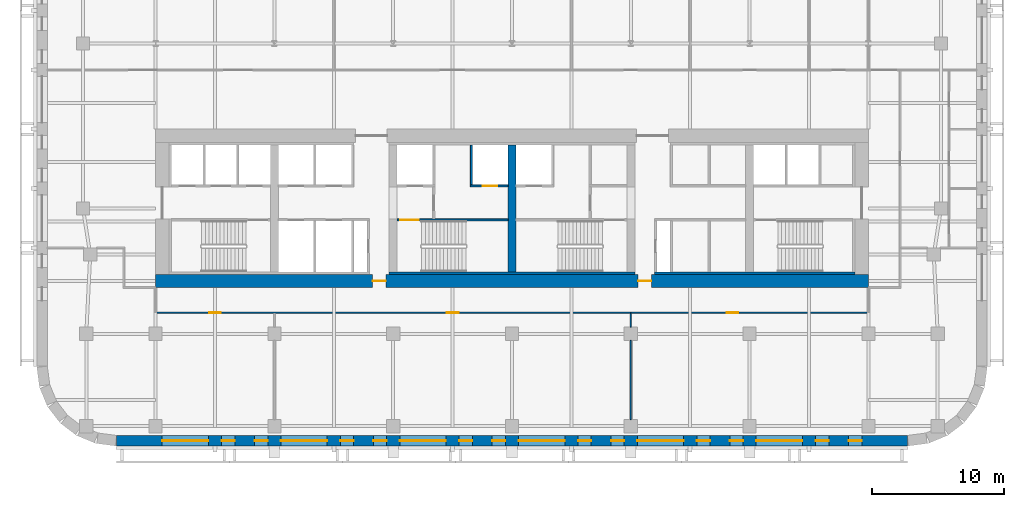
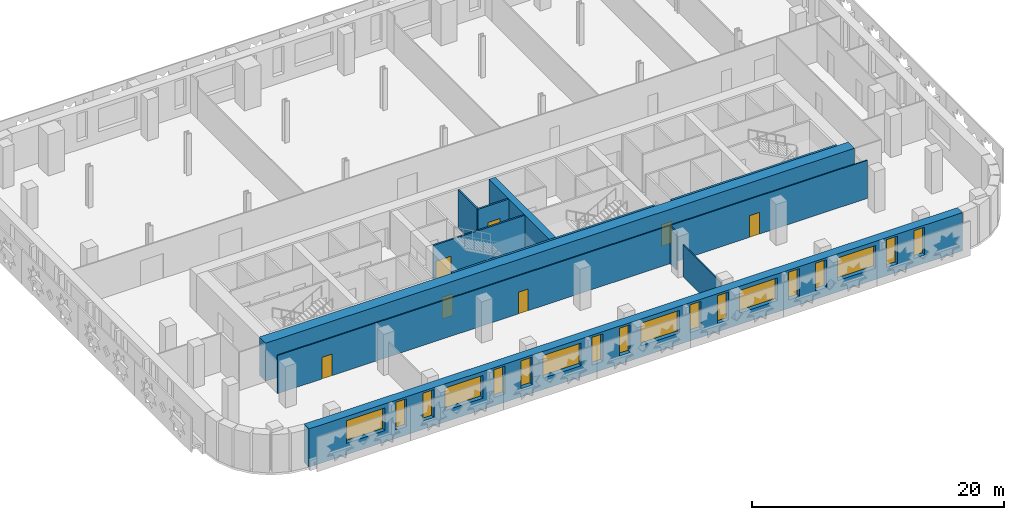
# One storey, part 4 of 10: 18 windows, 11 walls, 7 doors, 25 openings.
"""IFC4 building model written with IfcOpenShell, lengths in metres."""

from ifc_helpers import new_model, si_unit, direction, frame, frame_2d, origin, place, context, subcontext, project, spatial, rectangle, extrude, material, layer, layer_set, type_object, element, fill, save


model = new_model("IFC4")

# Units and contexts
model_context = context("Model", 3, precision=1e-05, world=origin(), true_north=direction((0.0, 1.0)))
body_context = subcontext(model_context, "Body", "Model", "MODEL_VIEW")
ifc_project = project(units=[si_unit("LENGTHUNIT", "METRE"), si_unit("AREAUNIT", "SQUARE_METRE"), si_unit("VOLUMEUNIT", "CUBIC_METRE"), si_unit("PLANEANGLEUNIT", "RADIAN"), si_unit("MASSUNIT", "GRAM", prefix="KILO")], contexts=[model_context])

# Site, building, storey
site_placement = place(None, origin())
site = spatial("IfcSite", under=ifc_project, at=site_placement, CompositionType="ELEMENT")
building_placement = place(site_placement, origin())
building = spatial("IfcBuilding", under=site, at=building_placement, Name="Zellij Exchange Tower", CompositionType="ELEMENT")
storey_placement = place(building_placement, frame((0.0, 0.0, 152.5)))
storey = spatial("IfcBuildingStorey", under=building, at=storey_placement, Name="L34", CompositionType="ELEMENT", Elevation=152.5)

# Walls
ifc_material_1 = material(Name="Concrete C70/85", Category="concrete")
ifc_layer_1 = layer(ifc_material_1, 0.60009765625)
ifc_layer_set_1 = layer_set([ifc_layer_1], Name="Concrete C70/85")
wall_type_1 = type_object("IfcWallType", Name="CORE-CW 600 C70/85", PredefinedType="SHEAR", material=ifc_layer_set_1)
wall_1_placement = place(storey_placement, frame((0.0, -12.800048828125, 0.0), z_axis=(0.0, 0.0, 1.0), x_axis=(0.0, 1.0, 0.0)))
element("IfcWall", 1, at=wall_1_placement, inside=storey, type_object=wall_type_1, Name="Core cross wall x 0 L34", PredefinedType="SHEAR", context=body_context, shape_type="SweptSolid", body=[
    extrude(rectangle(XDim=9.60009765625, YDim=0.60009765625, at=frame_2d((4.800048828125, 0.0))), origin(), (0.0, 0.0, 1.0), 3.699951171875),
])
ifc_material_2 = material(Name="Concrete C30/37", Category="concrete")
ifc_layer_2 = layer(ifc_material_2, 0.199951171875)
ifc_layer_set_2 = layer_set([ifc_layer_2], Name="Concrete C30/37")
wall_type_2 = type_object("IfcWallType", Name="CORE-LW 200 C30/37", PredefinedType="SHEAR", material=ifc_layer_set_2)
wall_2_placement = place(storey_placement, frame((-9.300048828125, -12.89990234375, 0.0), z_axis=(0.0, 0.0, 1.0), x_axis=(1.0, 0.0, 0.0)))
element("IfcWall", 2, at=wall_2_placement, inside=storey, type_object=wall_type_2, Name="Core wall lining rear.1 L34", PredefinedType="SHEAR", context=body_context, shape_type="SweptSolid", body=[
    extrude(rectangle(XDim=18.60009765625, YDim=0.199951171875, at=frame_2d((9.300048828125, 0.0))), origin(), (0.0, 0.0, 1.0), 3.699951171875),
])
wall_3_placement = place(storey_placement, frame((10.800048828125, -12.89990234375, 0.0), z_axis=(0.0, 0.0, 1.0), x_axis=(1.0, 0.0, 0.0)))
element("IfcWall", 3, at=wall_3_placement, inside=storey, type_object=wall_type_2, Name="Core wall lining rear.2 L34", PredefinedType="SHEAR", context=body_context, shape_type="SweptSolid", body=[
    extrude(rectangle(XDim=15.199951171875, YDim=0.199951171875, at=frame_2d((7.60009765625, 0.0))), origin(), (0.0, 0.0, 1.0), 3.699951171875),
])
ifc_material_3 = material(Name="Gypsum shaft wall system")
ifc_layer_3 = layer(ifc_material_3, 0.14990234375)
ifc_layer_set_3 = layer_set([ifc_layer_3], Name="Gypsum shaft wall system")
wall_type_3 = type_object("IfcWallType", Name="CORE-PW 150 Lift shaft wall", PredefinedType="PARTITIONING", material=ifc_layer_set_3)
wall_4_placement = place(storey_placement, frame((-3.074951171875, -6.22509765625, 0.0), z_axis=(0.0, 0.0, 1.0), x_axis=(0.0, 1.0, 0.0)))
element("IfcWall", 4, at=wall_4_placement, inside=storey, type_object=wall_type_3, Name="Lift shaft wall L34", PredefinedType="PARTITIONING", context=body_context, shape_type="SweptSolid", body=[
    extrude(rectangle(XDim=3.025146484375, YDim=0.14990234375, at=frame_2d((1.5126953125, 0.0))), origin(), (0.0, 0.0, 1.0), 3.699951171875),
])

# Wall, opening, door
wall_5_placement = place(storey_placement, frame((-3.14990234375, -6.300048828125, 0.0), z_axis=(0.0, 0.0, 1.0), x_axis=(1.0, 0.0, 0.0)))
wall_5 = element("IfcWall", 5, at=wall_5_placement, inside=storey, type_object=wall_type_3, Name="Lift shaft wall L34", PredefinedType="PARTITIONING", context=body_context, shape_type="SweptSolid", body=[
    extrude(rectangle(XDim=2.849853515625, YDim=0.14990234375, at=frame_2d((1.4248046875, 0.0))), origin(), (0.0, 0.0, 1.0), 3.699951171875),
])
opening_1_placement = place(wall_5_placement, frame((0.949951171875, 0.0, 0.0)))
opening_1 = element("IfcOpeningElement", 6, at=opening_1_placement, cuts=wall_5, Name="Opening CA-18.16", PredefinedType="OPENING", context=body_context, shape_type="SweptSolid", body=[
    extrude(rectangle(XDim=1.10009765625, YDim=2.10009765625, at=frame_2d((0.550048828125, 1.050048828125))), frame((0.0, 0.0869140625, 0.0), z_axis=(0.0, -1.0, 0.0), x_axis=(1.0, 0.0, 0.0)), (0.0, 0.0, 1.0), 0.173828125),
])
ifc_material_4 = material(Name="Hollow metal fire door")
door_type_1 = type_object("IfcDoorType", Name="CORE-D LD Lift landing door 1100x2100 1.5 HR", OperationType="NOTDEFINED", PredefinedType="DOOR", material=ifc_material_4)
door_1_placement = place(opening_1_placement, origin())
door_1 = element("IfcDoor", 7, at=door_1_placement, inside=storey, type_object=door_type_1, Name="Lift landing door CA-18.16", OperationType="SLIDING_TO_RIGHT", OverallHeight=2.10009765625, OverallWidth=1.10009765625, PredefinedType="DOOR", context=body_context, shape_type="SweptSolid", body=[
    extrude(rectangle(XDim=1.10009765625, YDim=2.10009765625, at=frame_2d((0.550048828125, 1.050048828125))), frame((0.0, 0.02490234375, 0.0), z_axis=(0.0, -1.0, 0.0), x_axis=(1.0, 0.0, 0.0)), (0.0, 0.0, 1.0), 0.050048828125),
])
fill(opening_1, door_1)

# Wall, openings, doors
ifc_layer_4 = layer(ifc_material_1, 1.0)
ifc_layer_set_4 = layer_set([ifc_layer_4], Name="Concrete C70/85")
wall_type_4 = type_object("IfcWallType", Name="CORE-SW 1000 C70/85", PredefinedType="SHEAR", material=ifc_layer_set_4)
wall_6_placement = place(storey_placement, frame((-27.0, -13.5, 0.0), z_axis=(0.0, 0.0, 1.0), x_axis=(1.0, 0.0, 0.0)))
wall_6 = element("IfcWall", 8, at=wall_6_placement, inside=storey, type_object=wall_type_4, Name="Core shear wall rear L34", PredefinedType="SHEAR", context=body_context, shape_type="SweptSolid", body=[
    extrude(rectangle(XDim=54.0, YDim=1.0, at=frame_2d((27.0, 0.0))), origin(), (0.0, 0.0, 1.0), 3.699951171875),
])
opening_2_placement = place(wall_6_placement, frame((16.449951171875, 0.0, 0.0)))
opening_2 = element("IfcOpeningElement", 9, at=opening_2_placement, cuts=wall_6, Name="Opening CA-18.12", PredefinedType="OPENING", context=body_context, shape_type="SweptSolid", body=[
    extrude(rectangle(XDim=1.0, YDim=2.10009765625, at=frame_2d((0.5, 1.050048828125))), frame((0.0, 0.511962890625, 0.0), z_axis=(0.0, -1.0, 0.0), x_axis=(1.0, 0.0, 0.0)), (0.0, 0.0, 1.0), 1.02392578125),
])
opening_3_placement = place(wall_6_placement, frame((36.550048828125, 0.0, 0.0)))
opening_3 = element("IfcOpeningElement", 10, at=opening_3_placement, cuts=wall_6, Name="Opening CA-18.20", PredefinedType="OPENING", context=body_context, shape_type="SweptSolid", body=[
    extrude(rectangle(XDim=1.0, YDim=2.10009765625, at=frame_2d((0.5, 1.050048828125))), frame((0.0, 0.511962890625, 0.0), z_axis=(0.0, -1.0, 0.0), x_axis=(1.0, 0.0, 0.0)), (0.0, 0.0, 1.0), 1.02392578125),
])
door_type_2 = type_object("IfcDoorType", Name="CORE-D CR Core rear door 1000x2100 20 MIN", OperationType="NOTDEFINED", PredefinedType="DOOR", material=ifc_material_4)
door_2_placement = place(opening_2_placement, origin())
door_2 = element("IfcDoor", 11, at=door_2_placement, inside=storey, type_object=door_type_2, Name="Core rear door CA-18.12", OperationType="SINGLE_SWING_RIGHT", OverallHeight=2.10009765625, OverallWidth=1.0, PredefinedType="DOOR", context=body_context, shape_type="SweptSolid", body=[
    extrude(rectangle(XDim=1.0, YDim=2.10009765625, at=frame_2d((0.5, 1.050048828125))), frame((0.0, 0.02490234375, 0.0), z_axis=(0.0, -1.0, 0.0), x_axis=(1.0, 0.0, 0.0)), (0.0, 0.0, 1.0), 0.050048828125),
])
fill(opening_2, door_2)
door_3_placement = place(opening_3_placement, origin())
door_3 = element("IfcDoor", 12, at=door_3_placement, inside=storey, type_object=door_type_2, Name="Core rear door CA-18.20", OperationType="SINGLE_SWING_LEFT", OverallHeight=2.10009765625, OverallWidth=1.0, PredefinedType="DOOR", context=body_context, shape_type="SweptSolid", body=[
    extrude(rectangle(XDim=1.0, YDim=2.10009765625, at=frame_2d((0.5, 1.050048828125))), frame((0.0, 0.02490234375, 0.0), z_axis=(0.0, -1.0, 0.0), x_axis=(1.0, 0.0, 0.0)), (0.0, 0.0, 1.0), 0.050048828125),
])
fill(opening_3, door_3)

# Wall, opening, door
ifc_layer_5 = layer(ifc_material_1, 0.14990234375)
ifc_layer_set_5 = layer_set([ifc_layer_5], Name="Concrete C70/85")
wall_type_5 = type_object("IfcWallType", Name="CORE-SWS 150 C70/85", PredefinedType="SHEAR", material=ifc_layer_set_5)
wall_7_placement = place(storey_placement, frame((-8.699951171875, -8.875, 0.0), z_axis=(0.0, 0.0, 1.0), x_axis=(1.0, 0.0, 0.0)))
wall_7 = element("IfcWall", 13, at=wall_7_placement, inside=storey, type_object=wall_type_5, Name="Stair enclosure wall L34", PredefinedType="SHEAR", context=body_context, shape_type="SweptSolid", body=[
    extrude(rectangle(XDim=8.39990234375, YDim=0.14990234375, at=frame_2d((4.199951171875, 0.0))), origin(), (0.0, 0.0, 1.0), 3.699951171875),
])
opening_4_placement = place(wall_7_placement, frame((0.22509765625, 0.0, 0.0)))
opening_4 = element("IfcOpeningElement", 14, at=opening_4_placement, cuts=wall_7, Name="Opening CA-18.13", PredefinedType="OPENING", context=body_context, shape_type="SweptSolid", body=[
    extrude(rectangle(XDim=1.39990234375, YDim=2.10009765625, at=frame_2d((0.699951171875, 1.050048828125))), frame((0.0, 0.0869140625, 0.0), z_axis=(0.0, -1.0, 0.0), x_axis=(1.0, 0.0, 0.0)), (0.0, 0.0, 1.0), 0.173828125),
])
door_type_3 = type_object("IfcDoorType", Name="CORE-D SD Stair door 1400x2100 1.5 HR", OperationType="NOTDEFINED", PredefinedType="DOOR", material=ifc_material_4)
door_4_placement = place(opening_4_placement, origin())
door_4 = element("IfcDoor", 15, at=door_4_placement, inside=storey, type_object=door_type_3, Name="Stair door CA-18.13", OperationType="DOUBLE_DOOR_SINGLE_SWING", OverallHeight=2.10009765625, OverallWidth=1.39990234375, PredefinedType="DOOR", context=body_context, shape_type="SweptSolid", body=[
    extrude(rectangle(XDim=1.39990234375, YDim=2.10009765625, at=frame_2d((0.699951171875, 1.050048828125))), frame((0.0, 0.02490234375, 0.0), z_axis=(0.0, -1.0, 0.0), x_axis=(1.0, 0.0, 0.0)), (0.0, 0.0, 1.0), 0.050048828125),
])
fill(opening_4, door_4)

# Wall, openings, windows
ifc_material_5 = material(Name="Precast concrete C40/50", Category="concrete")
ifc_layer_6 = layer(ifc_material_5, 0.800048828125)
ifc_layer_set_6 = layer_set([ifc_layer_6], Name="Precast concrete C40/50")
wall_type_6 = type_object("IfcWallType", Name="ENV-EW1 Precast stone-piered wall 800", PredefinedType="SOLIDWALL", material=ifc_layer_set_6)
wall_8_placement = place(storey_placement, frame((-29.947509765625, -25.60009765625, 0.0), z_axis=(0.0, 0.0, 1.0), x_axis=(1.0, 0.0, 0.0)))
wall_8 = element("IfcWall", 16, at=wall_8_placement, inside=storey, type_object=wall_type_6, Name="fac.L34.00", PredefinedType="SOLIDWALL", context=body_context, shape_type="SweptSolid", body=[
    extrude(rectangle(XDim=59.89501953125, YDim=0.800048828125, at=frame_2d((29.947509765625, 0.0))), origin(), (0.0, 0.0, 1.0), 3.699951171875),
])
opening_5_placement = place(wall_8_placement, frame((3.447509765625, 0.0, 1.10009765625)))
opening_5 = element("IfcOpeningElement", 17, at=opening_5_placement, cuts=wall_8, Name="Opening FZ2.01", PredefinedType="OPENING", context=body_context, shape_type="SweptSolid", body=[
    extrude(rectangle(XDim=3.5, YDim=2.199951171875, at=frame_2d((1.75, 1.10009765625))), frame((0.0, 0.412109375, 0.0), z_axis=(0.0, -1.0, 0.0), x_axis=(1.0, 0.0, 0.0)), (0.0, 0.0, 1.0), 0.823974609375),
])
opening_6_placement = place(wall_8_placement, frame((7.947509765625, 0.0, 0.800048828125)))
opening_6 = element("IfcOpeningElement", 18, at=opening_6_placement, cuts=wall_8, Name="Opening FZ2.02", PredefinedType="OPENING", context=body_context, shape_type="SweptSolid", body=[
    extrude(rectangle(XDim=1.0, YDim=2.699951171875, at=frame_2d((0.5, 1.35009765625))), frame((0.0, 0.412109375, 0.0), z_axis=(0.0, -1.0, 0.0), x_axis=(1.0, 0.0, 0.0)), (0.0, 0.0, 1.0), 0.823974609375),
])
opening_7_placement = place(wall_8_placement, frame((10.447509765625, 0.0, 0.800048828125)))
opening_7 = element("IfcOpeningElement", 19, at=opening_7_placement, cuts=wall_8, Name="Opening FZ2.03", PredefinedType="OPENING", context=body_context, shape_type="SweptSolid", body=[
    extrude(rectangle(XDim=1.0, YDim=2.699951171875, at=frame_2d((0.5, 1.35009765625))), frame((0.0, 0.412109375, 0.0), z_axis=(0.0, -1.0, 0.0), x_axis=(1.0, 0.0, 0.0)), (0.0, 0.0, 1.0), 0.823974609375),
])
opening_8_placement = place(wall_8_placement, frame((12.447509765625, 0.0, 1.10009765625)))
opening_8 = element("IfcOpeningElement", 20, at=opening_8_placement, cuts=wall_8, Name="Opening FZ2.04", PredefinedType="OPENING", context=body_context, shape_type="SweptSolid", body=[
    extrude(rectangle(XDim=3.5, YDim=2.199951171875, at=frame_2d((1.75, 1.10009765625))), frame((0.0, 0.412109375, 0.0), z_axis=(0.0, -1.0, 0.0), x_axis=(1.0, 0.0, 0.0)), (0.0, 0.0, 1.0), 0.823974609375),
])
opening_9_placement = place(wall_8_placement, frame((16.947509765625, 0.0, 0.800048828125)))
opening_9 = element("IfcOpeningElement", 21, at=opening_9_placement, cuts=wall_8, Name="Opening FZ2.05", PredefinedType="OPENING", context=body_context, shape_type="SweptSolid", body=[
    extrude(rectangle(XDim=1.0, YDim=2.699951171875, at=frame_2d((0.5, 1.35009765625))), frame((0.0, 0.412109375, 0.0), z_axis=(0.0, -1.0, 0.0), x_axis=(1.0, 0.0, 0.0)), (0.0, 0.0, 1.0), 0.823974609375),
])
opening_10_placement = place(wall_8_placement, frame((19.447509765625, 0.0, 0.800048828125)))
opening_10 = element("IfcOpeningElement", 22, at=opening_10_placement, cuts=wall_8, Name="Opening FZ2.06", PredefinedType="OPENING", context=body_context, shape_type="SweptSolid", body=[
    extrude(rectangle(XDim=1.0, YDim=2.699951171875, at=frame_2d((0.5, 1.35009765625))), frame((0.0, 0.412109375, 0.0), z_axis=(0.0, -1.0, 0.0), x_axis=(1.0, 0.0, 0.0)), (0.0, 0.0, 1.0), 0.823974609375),
])
opening_11_placement = place(wall_8_placement, frame((21.447509765625, 0.0, 1.10009765625)))
opening_11 = element("IfcOpeningElement", 23, at=opening_11_placement, cuts=wall_8, Name="Opening FZ2.07", PredefinedType="OPENING", context=body_context, shape_type="SweptSolid", body=[
    extrude(rectangle(XDim=3.5, YDim=2.199951171875, at=frame_2d((1.75, 1.10009765625))), frame((0.0, 0.412109375, 0.0), z_axis=(0.0, -1.0, 0.0), x_axis=(1.0, 0.0, 0.0)), (0.0, 0.0, 1.0), 0.823974609375),
])
opening_12_placement = place(wall_8_placement, frame((25.947509765625, 0.0, 0.800048828125)))
opening_12 = element("IfcOpeningElement", 24, at=opening_12_placement, cuts=wall_8, Name="Opening FZ2.08", PredefinedType="OPENING", context=body_context, shape_type="SweptSolid", body=[
    extrude(rectangle(XDim=1.0, YDim=2.699951171875, at=frame_2d((0.5, 1.35009765625))), frame((0.0, 0.412109375, 0.0), z_axis=(0.0, -1.0, 0.0), x_axis=(1.0, 0.0, 0.0)), (0.0, 0.0, 1.0), 0.823974609375),
])
opening_13_placement = place(wall_8_placement, frame((28.447509765625, 0.0, 0.800048828125)))
opening_13 = element("IfcOpeningElement", 25, at=opening_13_placement, cuts=wall_8, Name="Opening FZ2.09", PredefinedType="OPENING", context=body_context, shape_type="SweptSolid", body=[
    extrude(rectangle(XDim=1.0, YDim=2.699951171875, at=frame_2d((0.5, 1.35009765625))), frame((0.0, 0.412109375, 0.0), z_axis=(0.0, -1.0, 0.0), x_axis=(1.0, 0.0, 0.0)), (0.0, 0.0, 1.0), 0.823974609375),
])
opening_14_placement = place(wall_8_placement, frame((30.447509765625, 0.0, 1.10009765625)))
opening_14 = element("IfcOpeningElement", 26, at=opening_14_placement, cuts=wall_8, Name="Opening FZ2.10", PredefinedType="OPENING", context=body_context, shape_type="SweptSolid", body=[
    extrude(rectangle(XDim=3.5, YDim=2.199951171875, at=frame_2d((1.75, 1.10009765625))), frame((0.0, 0.412109375, 0.0), z_axis=(0.0, -1.0, 0.0), x_axis=(1.0, 0.0, 0.0)), (0.0, 0.0, 1.0), 0.823974609375),
])
opening_15_placement = place(wall_8_placement, frame((34.947509765625, 0.0, 0.800048828125)))
opening_15 = element("IfcOpeningElement", 27, at=opening_15_placement, cuts=wall_8, Name="Opening FZ2.11", PredefinedType="OPENING", context=body_context, shape_type="SweptSolid", body=[
    extrude(rectangle(XDim=1.0, YDim=2.699951171875, at=frame_2d((0.5, 1.35009765625))), frame((0.0, 0.412109375, 0.0), z_axis=(0.0, -1.0, 0.0), x_axis=(1.0, 0.0, 0.0)), (0.0, 0.0, 1.0), 0.823974609375),
])
opening_16_placement = place(wall_8_placement, frame((37.447509765625, 0.0, 0.800048828125)))
opening_16 = element("IfcOpeningElement", 28, at=opening_16_placement, cuts=wall_8, Name="Opening FZ2.12", PredefinedType="OPENING", context=body_context, shape_type="SweptSolid", body=[
    extrude(rectangle(XDim=1.0, YDim=2.699951171875, at=frame_2d((0.5, 1.35009765625))), frame((0.0, 0.412109375, 0.0), z_axis=(0.0, -1.0, 0.0), x_axis=(1.0, 0.0, 0.0)), (0.0, 0.0, 1.0), 0.823974609375),
])
opening_17_placement = place(wall_8_placement, frame((39.447509765625, 0.0, 1.10009765625)))
opening_17 = element("IfcOpeningElement", 29, at=opening_17_placement, cuts=wall_8, Name="Opening FZ2.13", PredefinedType="OPENING", context=body_context, shape_type="SweptSolid", body=[
    extrude(rectangle(XDim=3.5, YDim=2.199951171875, at=frame_2d((1.75, 1.10009765625))), frame((0.0, 0.412109375, 0.0), z_axis=(0.0, -1.0, 0.0), x_axis=(1.0, 0.0, 0.0)), (0.0, 0.0, 1.0), 0.823974609375),
])
opening_18_placement = place(wall_8_placement, frame((43.947509765625, 0.0, 0.800048828125)))
opening_18 = element("IfcOpeningElement", 30, at=opening_18_placement, cuts=wall_8, Name="Opening FZ2.14", PredefinedType="OPENING", context=body_context, shape_type="SweptSolid", body=[
    extrude(rectangle(XDim=1.0, YDim=2.699951171875, at=frame_2d((0.5, 1.35009765625))), frame((0.0, 0.412109375, 0.0), z_axis=(0.0, -1.0, 0.0), x_axis=(1.0, 0.0, 0.0)), (0.0, 0.0, 1.0), 0.823974609375),
])
opening_19_placement = place(wall_8_placement, frame((46.447509765625, 0.0, 0.800048828125)))
opening_19 = element("IfcOpeningElement", 31, at=opening_19_placement, cuts=wall_8, Name="Opening FZ2.15", PredefinedType="OPENING", context=body_context, shape_type="SweptSolid", body=[
    extrude(rectangle(XDim=1.0, YDim=2.699951171875, at=frame_2d((0.5, 1.35009765625))), frame((0.0, 0.412109375, 0.0), z_axis=(0.0, -1.0, 0.0), x_axis=(1.0, 0.0, 0.0)), (0.0, 0.0, 1.0), 0.823974609375),
])
opening_20_placement = place(wall_8_placement, frame((48.447509765625, 0.0, 1.10009765625)))
opening_20 = element("IfcOpeningElement", 32, at=opening_20_placement, cuts=wall_8, Name="Opening FZ2.16", PredefinedType="OPENING", context=body_context, shape_type="SweptSolid", body=[
    extrude(rectangle(XDim=3.5, YDim=2.199951171875, at=frame_2d((1.75, 1.10009765625))), frame((0.0, 0.412109375, 0.0), z_axis=(0.0, -1.0, 0.0), x_axis=(1.0, 0.0, 0.0)), (0.0, 0.0, 1.0), 0.823974609375),
])
opening_21_placement = place(wall_8_placement, frame((52.947509765625, 0.0, 0.800048828125)))
opening_21 = element("IfcOpeningElement", 33, at=opening_21_placement, cuts=wall_8, Name="Opening FZ2.17", PredefinedType="OPENING", context=body_context, shape_type="SweptSolid", body=[
    extrude(rectangle(XDim=1.0, YDim=2.699951171875, at=frame_2d((0.5, 1.35009765625))), frame((0.0, 0.412109375, 0.0), z_axis=(0.0, -1.0, 0.0), x_axis=(1.0, 0.0, 0.0)), (0.0, 0.0, 1.0), 0.823974609375),
])
opening_22_placement = place(wall_8_placement, frame((55.447509765625, 0.0, 0.800048828125)))
opening_22 = element("IfcOpeningElement", 34, at=opening_22_placement, cuts=wall_8, Name="Opening FZ2.18", PredefinedType="OPENING", context=body_context, shape_type="SweptSolid", body=[
    extrude(rectangle(XDim=1.0, YDim=2.699951171875, at=frame_2d((0.5, 1.35009765625))), frame((0.0, 0.412109375, 0.0), z_axis=(0.0, -1.0, 0.0), x_axis=(1.0, 0.0, 0.0)), (0.0, 0.0, 1.0), 0.823974609375),
])
ifc_material_6 = material(Name="Aluminium frame with insulating glass", Category="aluminium")
window_type_1 = type_object("IfcWindowType", Name="ENV-W7 Window 3500x2200", PartitioningType="SINGLE_PANEL", PredefinedType="WINDOW", material=ifc_material_6)
window_1_placement = place(opening_5_placement, origin())
window_1 = element("IfcWindow", 35, at=window_1_placement, inside=storey, type_object=window_type_1, Name="Window FZ2.01", OverallHeight=2.199951171875, OverallWidth=3.5, PartitioningType="SINGLE_PANEL", PredefinedType="WINDOW", context=body_context, shape_type="SweptSolid", body=[
    extrude(rectangle(XDim=3.5, YDim=2.199951171875, at=frame_2d((1.75, 1.10009765625))), frame((0.0, 0.030029296875, 0.0), z_axis=(0.0, -1.0, 0.0), x_axis=(1.0, 0.0, 0.0)), (0.0, 0.0, 1.0), 0.06005859375),
])
fill(opening_5, window_1)
window_2_placement = place(opening_8_placement, origin())
window_2 = element("IfcWindow", 36, at=window_2_placement, inside=storey, type_object=window_type_1, Name="Window FZ2.04", OverallHeight=2.199951171875, OverallWidth=3.5, PartitioningType="SINGLE_PANEL", PredefinedType="WINDOW", context=body_context, shape_type="SweptSolid", body=[
    extrude(rectangle(XDim=3.5, YDim=2.199951171875, at=frame_2d((1.75, 1.10009765625))), frame((0.0, 0.030029296875, 0.0), z_axis=(0.0, -1.0, 0.0), x_axis=(1.0, 0.0, 0.0)), (0.0, 0.0, 1.0), 0.06005859375),
])
fill(opening_8, window_2)
window_3_placement = place(opening_11_placement, origin())
window_3 = element("IfcWindow", 37, at=window_3_placement, inside=storey, type_object=window_type_1, Name="Window FZ2.07", OverallHeight=2.199951171875, OverallWidth=3.5, PartitioningType="SINGLE_PANEL", PredefinedType="WINDOW", context=body_context, shape_type="SweptSolid", body=[
    extrude(rectangle(XDim=3.5, YDim=2.199951171875, at=frame_2d((1.75, 1.10009765625))), frame((0.0, 0.030029296875, 0.0), z_axis=(0.0, -1.0, 0.0), x_axis=(1.0, 0.0, 0.0)), (0.0, 0.0, 1.0), 0.06005859375),
])
fill(opening_11, window_3)
window_4_placement = place(opening_14_placement, origin())
window_4 = element("IfcWindow", 38, at=window_4_placement, inside=storey, type_object=window_type_1, Name="Window FZ2.10", OverallHeight=2.199951171875, OverallWidth=3.5, PartitioningType="SINGLE_PANEL", PredefinedType="WINDOW", context=body_context, shape_type="SweptSolid", body=[
    extrude(rectangle(XDim=3.5, YDim=2.199951171875, at=frame_2d((1.75, 1.10009765625))), frame((0.0, 0.030029296875, 0.0), z_axis=(0.0, -1.0, 0.0), x_axis=(1.0, 0.0, 0.0)), (0.0, 0.0, 1.0), 0.06005859375),
])
fill(opening_14, window_4)
window_5_placement = place(opening_17_placement, origin())
window_5 = element("IfcWindow", 39, at=window_5_placement, inside=storey, type_object=window_type_1, Name="Window FZ2.13", OverallHeight=2.199951171875, OverallWidth=3.5, PartitioningType="SINGLE_PANEL", PredefinedType="WINDOW", context=body_context, shape_type="SweptSolid", body=[
    extrude(rectangle(XDim=3.5, YDim=2.199951171875, at=frame_2d((1.75, 1.10009765625))), frame((0.0, 0.030029296875, 0.0), z_axis=(0.0, -1.0, 0.0), x_axis=(1.0, 0.0, 0.0)), (0.0, 0.0, 1.0), 0.06005859375),
])
fill(opening_17, window_5)
window_6_placement = place(opening_20_placement, origin())
window_6 = element("IfcWindow", 40, at=window_6_placement, inside=storey, type_object=window_type_1, Name="Window FZ2.16", OverallHeight=2.199951171875, OverallWidth=3.5, PartitioningType="SINGLE_PANEL", PredefinedType="WINDOW", context=body_context, shape_type="SweptSolid", body=[
    extrude(rectangle(XDim=3.5, YDim=2.199951171875, at=frame_2d((1.75, 1.10009765625))), frame((0.0, 0.030029296875, 0.0), z_axis=(0.0, -1.0, 0.0), x_axis=(1.0, 0.0, 0.0)), (0.0, 0.0, 1.0), 0.06005859375),
])
fill(opening_20, window_6)
window_type_2 = type_object("IfcWindowType", Name="ENV-W8 Window 1000x2700", PartitioningType="SINGLE_PANEL", PredefinedType="WINDOW", material=ifc_material_6)
window_7_placement = place(opening_6_placement, origin())
window_7 = element("IfcWindow", 41, at=window_7_placement, inside=storey, type_object=window_type_2, Name="Window FZ2.02", OverallHeight=2.699951171875, OverallWidth=1.0, PartitioningType="SINGLE_PANEL", PredefinedType="WINDOW", context=body_context, shape_type="SweptSolid", body=[
    extrude(rectangle(XDim=1.0, YDim=2.699951171875, at=frame_2d((0.5, 1.35009765625))), frame((0.0, 0.030029296875, 0.0), z_axis=(0.0, -1.0, 0.0), x_axis=(1.0, 0.0, 0.0)), (0.0, 0.0, 1.0), 0.06005859375),
])
fill(opening_6, window_7)
window_8_placement = place(opening_7_placement, origin())
window_8 = element("IfcWindow", 42, at=window_8_placement, inside=storey, type_object=window_type_2, Name="Window FZ2.03", OverallHeight=2.699951171875, OverallWidth=1.0, PartitioningType="SINGLE_PANEL", PredefinedType="WINDOW", context=body_context, shape_type="SweptSolid", body=[
    extrude(rectangle(XDim=1.0, YDim=2.699951171875, at=frame_2d((0.5, 1.35009765625))), frame((0.0, 0.030029296875, 0.0), z_axis=(0.0, -1.0, 0.0), x_axis=(1.0, 0.0, 0.0)), (0.0, 0.0, 1.0), 0.06005859375),
])
fill(opening_7, window_8)
window_9_placement = place(opening_9_placement, origin())
window_9 = element("IfcWindow", 43, at=window_9_placement, inside=storey, type_object=window_type_2, Name="Window FZ2.05", OverallHeight=2.699951171875, OverallWidth=1.0, PartitioningType="SINGLE_PANEL", PredefinedType="WINDOW", context=body_context, shape_type="SweptSolid", body=[
    extrude(rectangle(XDim=1.0, YDim=2.699951171875, at=frame_2d((0.5, 1.35009765625))), frame((0.0, 0.030029296875, 0.0), z_axis=(0.0, -1.0, 0.0), x_axis=(1.0, 0.0, 0.0)), (0.0, 0.0, 1.0), 0.06005859375),
])
fill(opening_9, window_9)
window_10_placement = place(opening_10_placement, origin())
window_10 = element("IfcWindow", 44, at=window_10_placement, inside=storey, type_object=window_type_2, Name="Window FZ2.06", OverallHeight=2.699951171875, OverallWidth=1.0, PartitioningType="SINGLE_PANEL", PredefinedType="WINDOW", context=body_context, shape_type="SweptSolid", body=[
    extrude(rectangle(XDim=1.0, YDim=2.699951171875, at=frame_2d((0.5, 1.35009765625))), frame((0.0, 0.030029296875, 0.0), z_axis=(0.0, -1.0, 0.0), x_axis=(1.0, 0.0, 0.0)), (0.0, 0.0, 1.0), 0.06005859375),
])
fill(opening_10, window_10)
window_11_placement = place(opening_12_placement, origin())
window_11 = element("IfcWindow", 45, at=window_11_placement, inside=storey, type_object=window_type_2, Name="Window FZ2.08", OverallHeight=2.699951171875, OverallWidth=1.0, PartitioningType="SINGLE_PANEL", PredefinedType="WINDOW", context=body_context, shape_type="SweptSolid", body=[
    extrude(rectangle(XDim=1.0, YDim=2.699951171875, at=frame_2d((0.5, 1.35009765625))), frame((0.0, 0.030029296875, 0.0), z_axis=(0.0, -1.0, 0.0), x_axis=(1.0, 0.0, 0.0)), (0.0, 0.0, 1.0), 0.06005859375),
])
fill(opening_12, window_11)
window_12_placement = place(opening_13_placement, origin())
window_12 = element("IfcWindow", 46, at=window_12_placement, inside=storey, type_object=window_type_2, Name="Window FZ2.09", OverallHeight=2.699951171875, OverallWidth=1.0, PartitioningType="SINGLE_PANEL", PredefinedType="WINDOW", context=body_context, shape_type="SweptSolid", body=[
    extrude(rectangle(XDim=1.0, YDim=2.699951171875, at=frame_2d((0.5, 1.35009765625))), frame((0.0, 0.030029296875, 0.0), z_axis=(0.0, -1.0, 0.0), x_axis=(1.0, 0.0, 0.0)), (0.0, 0.0, 1.0), 0.06005859375),
])
fill(opening_13, window_12)
window_13_placement = place(opening_15_placement, origin())
window_13 = element("IfcWindow", 47, at=window_13_placement, inside=storey, type_object=window_type_2, Name="Window FZ2.11", OverallHeight=2.699951171875, OverallWidth=1.0, PartitioningType="SINGLE_PANEL", PredefinedType="WINDOW", context=body_context, shape_type="SweptSolid", body=[
    extrude(rectangle(XDim=1.0, YDim=2.699951171875, at=frame_2d((0.5, 1.35009765625))), frame((0.0, 0.030029296875, 0.0), z_axis=(0.0, -1.0, 0.0), x_axis=(1.0, 0.0, 0.0)), (0.0, 0.0, 1.0), 0.06005859375),
])
fill(opening_15, window_13)
window_14_placement = place(opening_16_placement, origin())
window_14 = element("IfcWindow", 48, at=window_14_placement, inside=storey, type_object=window_type_2, Name="Window FZ2.12", OverallHeight=2.699951171875, OverallWidth=1.0, PartitioningType="SINGLE_PANEL", PredefinedType="WINDOW", context=body_context, shape_type="SweptSolid", body=[
    extrude(rectangle(XDim=1.0, YDim=2.699951171875, at=frame_2d((0.5, 1.35009765625))), frame((0.0, 0.030029296875, 0.0), z_axis=(0.0, -1.0, 0.0), x_axis=(1.0, 0.0, 0.0)), (0.0, 0.0, 1.0), 0.06005859375),
])
fill(opening_16, window_14)
window_15_placement = place(opening_18_placement, origin())
window_15 = element("IfcWindow", 49, at=window_15_placement, inside=storey, type_object=window_type_2, Name="Window FZ2.14", OverallHeight=2.699951171875, OverallWidth=1.0, PartitioningType="SINGLE_PANEL", PredefinedType="WINDOW", context=body_context, shape_type="SweptSolid", body=[
    extrude(rectangle(XDim=1.0, YDim=2.699951171875, at=frame_2d((0.5, 1.35009765625))), frame((0.0, 0.030029296875, 0.0), z_axis=(0.0, -1.0, 0.0), x_axis=(1.0, 0.0, 0.0)), (0.0, 0.0, 1.0), 0.06005859375),
])
fill(opening_18, window_15)
window_16_placement = place(opening_19_placement, origin())
window_16 = element("IfcWindow", 50, at=window_16_placement, inside=storey, type_object=window_type_2, Name="Window FZ2.15", OverallHeight=2.699951171875, OverallWidth=1.0, PartitioningType="SINGLE_PANEL", PredefinedType="WINDOW", context=body_context, shape_type="SweptSolid", body=[
    extrude(rectangle(XDim=1.0, YDim=2.699951171875, at=frame_2d((0.5, 1.35009765625))), frame((0.0, 0.030029296875, 0.0), z_axis=(0.0, -1.0, 0.0), x_axis=(1.0, 0.0, 0.0)), (0.0, 0.0, 1.0), 0.06005859375),
])
fill(opening_19, window_16)
window_17_placement = place(opening_21_placement, origin())
window_17 = element("IfcWindow", 51, at=window_17_placement, inside=storey, type_object=window_type_2, Name="Window FZ2.17", OverallHeight=2.699951171875, OverallWidth=1.0, PartitioningType="SINGLE_PANEL", PredefinedType="WINDOW", context=body_context, shape_type="SweptSolid", body=[
    extrude(rectangle(XDim=1.0, YDim=2.699951171875, at=frame_2d((0.5, 1.35009765625))), frame((0.0, 0.030029296875, 0.0), z_axis=(0.0, -1.0, 0.0), x_axis=(1.0, 0.0, 0.0)), (0.0, 0.0, 1.0), 0.06005859375),
])
fill(opening_21, window_17)
window_18_placement = place(opening_22_placement, origin())
window_18 = element("IfcWindow", 52, at=window_18_placement, inside=storey, type_object=window_type_2, Name="Window FZ2.18", OverallHeight=2.699951171875, OverallWidth=1.0, PartitioningType="SINGLE_PANEL", PredefinedType="WINDOW", context=body_context, shape_type="SweptSolid", body=[
    extrude(rectangle(XDim=1.0, YDim=2.699951171875, at=frame_2d((0.5, 1.35009765625))), frame((0.0, 0.030029296875, 0.0), z_axis=(0.0, -1.0, 0.0), x_axis=(1.0, 0.0, 0.0)), (0.0, 0.0, 1.0), 0.06005859375),
])
fill(opening_22, window_18)

# Walls
ifc_material_7 = material(Name="Gypsum board partition on steel studs", Category="steel")
ifc_layer_7 = layer(ifc_material_7, 0.10009765625)
ifc_layer_set_7 = layer_set([ifc_layer_7], Name="Gypsum board partition on steel studs")
wall_type_7 = type_object("IfcWallType", Name="FIT-PARTITION-100", PredefinedType="PARTITIONING", material=ifc_layer_set_7)
wall_9_placement = place(storey_placement, frame((9.0, -24.0, 0.0), z_axis=(0.0, 0.0, 1.0), x_axis=(0.0, 1.0, 0.0)))
element("IfcWall", 53, at=wall_9_placement, inside=storey, type_object=wall_type_7, Name="FIT-PARTITION-100 003", PredefinedType="PARTITIONING", context=body_context, shape_type="SweptSolid", body=[
    extrude(rectangle(XDim=6.0, YDim=0.10009765625, at=frame_2d((3.0, 0.0))), origin(), (0.0, 0.0, 1.0), 3.087890625),
])
wall_10_placement = place(storey_placement, frame((9.0, -17.0, 0.0), z_axis=(0.0, 0.0, 1.0), x_axis=(0.0, 1.0, 0.0)))
element("IfcWall", 54, at=wall_10_placement, inside=storey, type_object=wall_type_7, Name="FIT-PARTITION-100 004", PredefinedType="PARTITIONING", context=body_context, shape_type="SweptSolid", body=[
    extrude(rectangle(XDim=1.050048828125, YDim=0.10009765625, at=frame_2d((0.52490234375, 0.0))), origin(), (0.0, 0.0, 1.0), 3.699951171875),
])

# Wall, openings, doors
wall_11_placement = place(storey_placement, frame((-27.050048828125, -15.89990234375, 0.0), z_axis=(0.0, 0.0, 1.0), x_axis=(1.0, 0.0, 0.0)))
wall_11 = element("IfcWall", 55, at=wall_11_placement, inside=storey, type_object=wall_type_7, Name="FIT-PARTITION-100 005", PredefinedType="PARTITIONING", context=body_context, shape_type="SweptSolid", body=[
    extrude(rectangle(XDim=54.10009765625, YDim=0.10009765625, at=frame_2d((27.050048828125, 0.0))), origin(), (0.0, 0.0, 1.0), 3.699951171875),
])
opening_23_placement = place(wall_11_placement, frame((4.10009765625, 0.0, 0.0)))
opening_23 = element("IfcOpeningElement", 56, at=opening_23_placement, cuts=wall_11, Name="Opening TH.01", PredefinedType="OPENING", context=body_context, shape_type="SweptSolid", body=[
    extrude(rectangle(XDim=0.89990234375, YDim=2.10009765625, at=frame_2d((0.449951171875, 1.050048828125))), frame((0.0, 0.06201171875, 0.0), z_axis=(0.0, -1.0, 0.0), x_axis=(1.0, 0.0, 0.0)), (0.0, 0.0, 1.0), 0.1240234375),
])
opening_24_placement = place(wall_11_placement, frame((22.10009765625, 0.0, 0.0)))
opening_24 = element("IfcOpeningElement", 57, at=opening_24_placement, cuts=wall_11, Name="Opening TH.02", PredefinedType="OPENING", context=body_context, shape_type="SweptSolid", body=[
    extrude(rectangle(XDim=0.89990234375, YDim=2.10009765625, at=frame_2d((0.449951171875, 1.050048828125))), frame((0.0, 0.06201171875, 0.0), z_axis=(0.0, -1.0, 0.0), x_axis=(1.0, 0.0, 0.0)), (0.0, 0.0, 1.0), 0.1240234375),
])
opening_25_placement = place(wall_11_placement, frame((43.300048828125, 0.0, 0.0)))
opening_25 = element("IfcOpeningElement", 58, at=opening_25_placement, cuts=wall_11, Name="Opening TH.03", PredefinedType="OPENING", context=body_context, shape_type="SweptSolid", body=[
    extrude(rectangle(XDim=0.89990234375, YDim=2.10009765625, at=frame_2d((0.449951171875, 1.050048828125))), frame((0.0, 0.06201171875, 0.0), z_axis=(0.0, -1.0, 0.0), x_axis=(1.0, 0.0, 0.0)), (0.0, 0.0, 1.0), 0.1240234375),
])
ifc_material_8 = material(Name="Timber door set", Category="wood")
door_type_4 = type_object("IfcDoorType", Name="FIT-D1-ROOM-900X2100", OperationType="SINGLE_SWING_LEFT", PredefinedType="DOOR", material=ifc_material_8)
door_5_placement = place(opening_23_placement, origin())
door_5 = element("IfcDoor", 59, at=door_5_placement, inside=storey, type_object=door_type_4, Name="Door TH.01", OperationType="SINGLE_SWING_LEFT", OverallHeight=2.10009765625, OverallWidth=0.89990234375, PredefinedType="DOOR", context=body_context, shape_type="SweptSolid", body=[
    extrude(rectangle(XDim=0.89990234375, YDim=2.10009765625, at=frame_2d((0.449951171875, 1.050048828125))), frame((0.0, 0.02490234375, 0.0), z_axis=(0.0, -1.0, 0.0), x_axis=(1.0, 0.0, 0.0)), (0.0, 0.0, 1.0), 0.050048828125),
])
fill(opening_23, door_5)
door_6_placement = place(opening_24_placement, origin())
door_6 = element("IfcDoor", 60, at=door_6_placement, inside=storey, type_object=door_type_4, Name="Door TH.02", OperationType="SINGLE_SWING_LEFT", OverallHeight=2.10009765625, OverallWidth=0.89990234375, PredefinedType="DOOR", context=body_context, shape_type="SweptSolid", body=[
    extrude(rectangle(XDim=0.89990234375, YDim=2.10009765625, at=frame_2d((0.449951171875, 1.050048828125))), frame((0.0, 0.02490234375, 0.0), z_axis=(0.0, -1.0, 0.0), x_axis=(1.0, 0.0, 0.0)), (0.0, 0.0, 1.0), 0.050048828125),
])
fill(opening_24, door_6)
door_7_placement = place(opening_25_placement, origin())
door_7 = element("IfcDoor", 61, at=door_7_placement, inside=storey, type_object=door_type_4, Name="Door TH.03", OperationType="SINGLE_SWING_LEFT", OverallHeight=2.10009765625, OverallWidth=0.89990234375, PredefinedType="DOOR", context=body_context, shape_type="SweptSolid", body=[
    extrude(rectangle(XDim=0.89990234375, YDim=2.10009765625, at=frame_2d((0.449951171875, 1.050048828125))), frame((0.0, 0.02490234375, 0.0), z_axis=(0.0, -1.0, 0.0), x_axis=(1.0, 0.0, 0.0)), (0.0, 0.0, 1.0), 0.050048828125),
])
fill(opening_25, door_7)

save(model, "model.ifc")
